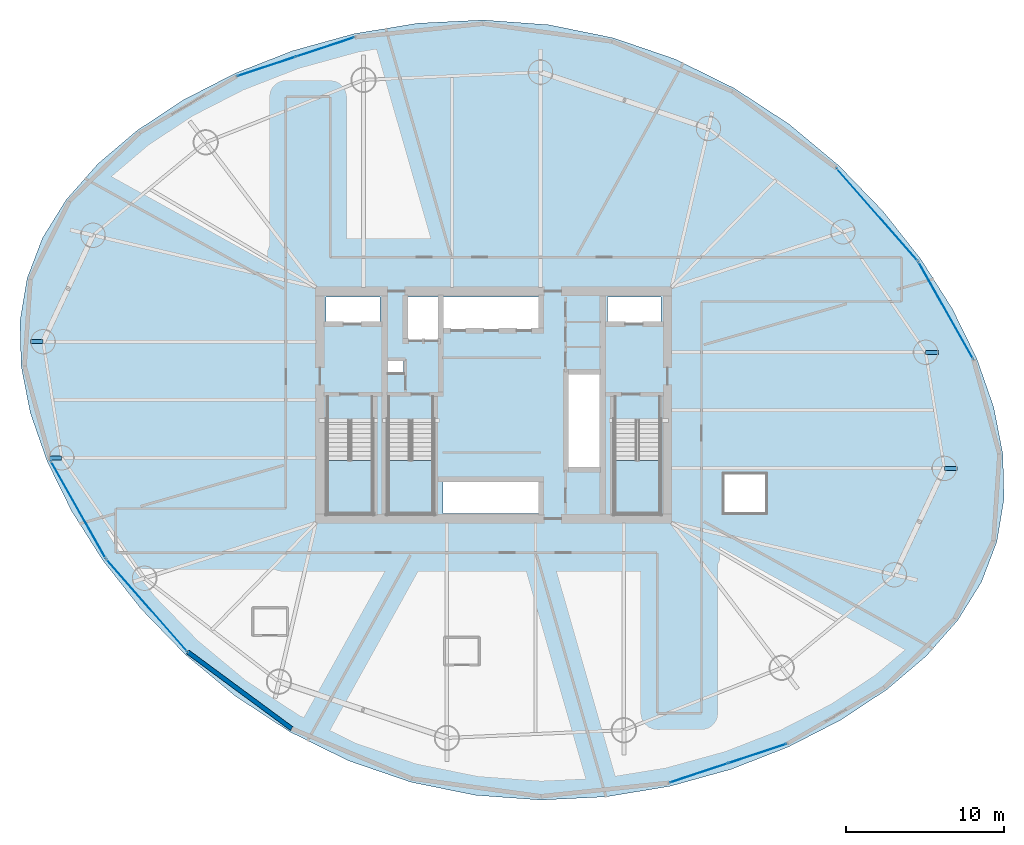
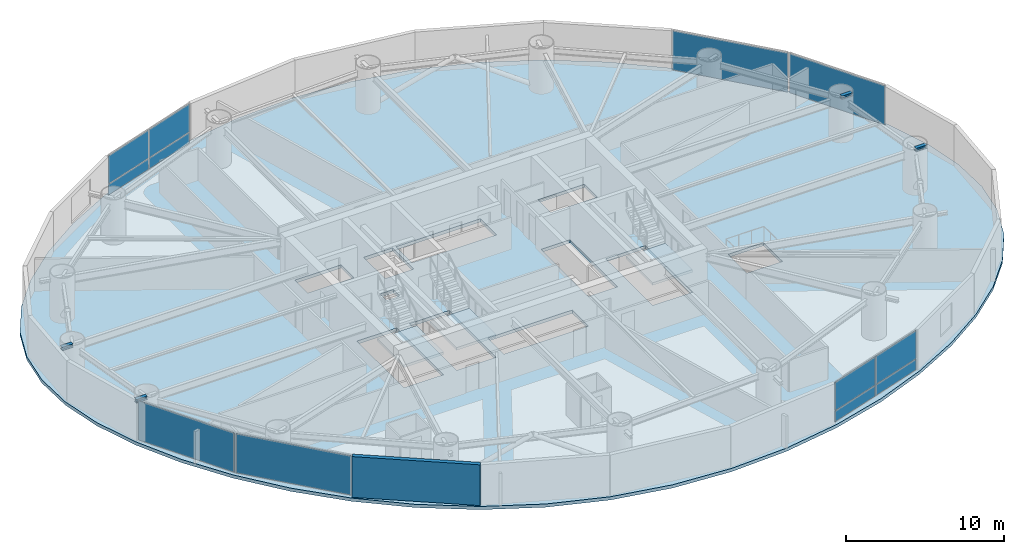
# One storey, part 17 of 25: 12 plates, 4 beams, 4 slabs, 1 wall, 9 elements without a shape of their own.
"""IFC4 building model written with IfcOpenShell, lengths in metres."""

from ifc_helpers import new_model, si_unit, direction, frame, frame_2d, origin, origin_2d, place, context, subcontext, project, spatial, polyline, rectangle, i_section, outline, extrude, material, layer, layer_set, material_profile, profile_set, type_object, element, aggregate, save


model = new_model("IFC4")

# Units and contexts
model_context = context("Model", 3, precision=1e-05, world=origin(), true_north=direction((0.0, 1.0)))
body_context = subcontext(model_context, "Body", "Model", "MODEL_VIEW")
ifc_project = project(units=[si_unit("LENGTHUNIT", "METRE"), si_unit("AREAUNIT", "SQUARE_METRE"), si_unit("VOLUMEUNIT", "CUBIC_METRE"), si_unit("PLANEANGLEUNIT", "RADIAN"), si_unit("MASSUNIT", "GRAM", prefix="KILO")], contexts=[model_context])

# Site, building, storey
site_placement = place(None, origin())
site = spatial("IfcSite", under=ifc_project, at=site_placement, CompositionType="ELEMENT")
building_placement = place(site_placement, origin())
building = spatial("IfcBuilding", under=site, at=building_placement, Name="Bramvorn Convention Spire", CompositionType="ELEMENT")
storey_placement = place(building_placement, frame((0.0, 0.0, 93.89990234375)))
storey = spatial("IfcBuildingStorey", under=building, at=storey_placement, Name="L22", CompositionType="ELEMENT", Elevation=93.89990234375)

# Beams
ifc_material_1 = material(Name="Steel CSA G40.21 Grade 350 (350W)", Category="steel")
ifc_material_profile = material_profile(ifc_material_1, i_section(OverallWidth=0.25390625, OverallDepth=0.2529296875, WebThickness=0.008544921875, FlangeThickness=0.01416015625, FilletRadius=0.011962890625, at=origin_2d()))
ifc_profile_set = profile_set([ifc_material_profile], Name="Steel CSA G40.21 Grade 350 (350W) - W250X73")
beam_type = type_object("IfcBeamType", Name="BM-W250X73", PredefinedType="BEAM", material=ifc_profile_set)
beam_1_placement = place(storey_placement, frame((66.519775390625, 21.99169921875, 3.023681640625), z_axis=(1.0, 0.0, 0.0), x_axis=(0.0, 1.0, 0.0)))
element("IfcBeam", 1, at=beam_1_placement, inside=storey, type_object=beam_type, Name="L22 slab-edge cantilever tip beam MC01", PredefinedType="BEAM", context=body_context, shape_type="SweptSolid", body=[
    extrude(i_section(OverallWidth=0.25390625, OverallDepth=0.2529296875, WebThickness=0.008544921875, FlangeThickness=0.01416015625, FilletRadius=0.011962890625, at=origin_2d()), origin(), (0.0, 0.0, 1.0), 0.7998046875),
])
beam_2_placement = place(storey_placement, frame((65.338623046875, 29.340087890625, 3.023681640625), z_axis=(1.0, 0.0, 0.0), x_axis=(0.0, 1.0, 0.0)))
element("IfcBeam", 2, at=beam_2_placement, inside=storey, type_object=beam_type, Name="L22 slab-edge cantilever tip beam MC02", PredefinedType="BEAM", context=body_context, shape_type="SweptSolid", body=[
    extrude(i_section(OverallWidth=0.25390625, OverallDepth=0.2529296875, WebThickness=0.008544921875, FlangeThickness=0.01416015625, FilletRadius=0.011962890625, at=origin_2d()), origin(), (0.0, 0.0, 1.0), 0.800048828125),
])
beam_3_placement = place(storey_placement, frame((9.480224609375, 30.00830078125, 3.023681640625), z_axis=(-1.0, 0.0, 0.0), x_axis=(0.0, -1.0, 0.0)))
element("IfcBeam", 3, at=beam_3_placement, inside=storey, type_object=beam_type, Name="L22 slab-edge cantilever tip beam MC09", PredefinedType="BEAM", context=body_context, shape_type="SweptSolid", body=[
    extrude(i_section(OverallWidth=0.25390625, OverallDepth=0.2529296875, WebThickness=0.008544921875, FlangeThickness=0.01416015625, FilletRadius=0.011962890625, at=origin_2d()), origin(), (0.0, 0.0, 1.0), 0.7998046875),
])
beam_4_placement = place(storey_placement, frame((10.661376953125, 22.659912109375, 3.023681640625), z_axis=(-1.0, 0.0, 0.0), x_axis=(0.0, -1.0, 0.0)))
element("IfcBeam", 4, at=beam_4_placement, inside=storey, type_object=beam_type, Name="L22 slab-edge cantilever tip beam MC10", PredefinedType="BEAM", context=body_context, shape_type="SweptSolid", body=[
    extrude(i_section(OverallWidth=0.25390625, OverallDepth=0.2529296875, WebThickness=0.008544921875, FlangeThickness=0.01416015625, FilletRadius=0.011962890625, at=origin_2d()), origin(), (0.0, 0.0, 1.0), 0.800048828125),
])

# Curtain wall, plate
ifc_material_2 = material(Name="Anodised Bronze Unitised Curtain Wall", Category="aluminium")
ifc_layer_1 = layer(ifc_material_2, 0.179931640625)
ifc_layer_set_1 = layer_set([ifc_layer_1], Name="Anodised Bronze Unitised Curtain Wall - CW-HTL-FRIT")
curtain_wall_type = type_object("IfcCurtainWallType", Name="CW-HTL-FRIT", PredefinedType="USERDEFINED", material=ifc_layer_set_1)
curtain_wall_1_placement = place(storey_placement, origin())
curtain_wall_1 = element("IfcCurtainWall", 5, at=curtain_wall_1_placement, inside=storey, type_object=curtain_wall_type, Name="L22 fritted glass curtain wall 03", ObjectType="UNITISED CURTAIN WALL", PredefinedType="USERDEFINED")
ifc_material_3 = material(Name="Laminated Low-E Glass (Triple IGU Bronze Ceramic Frit 35%)", Category="glass")
ifc_layer_2 = layer(ifc_material_3, 0.035888671875)
ifc_layer_set_2 = layer_set([ifc_layer_2], Name="Laminated Low-E Glass (Triple IGU Bronze Ceramic Frit 35%) - PNL-IGU-1")
plate_type = type_object("IfcPlateType", Name="PNL-IGU-1", PredefinedType="CURTAIN_PANEL", material=ifc_layer_set_2)
plate_1_placement = place(storey_placement, frame((66.611572265625, 31.99169921875, 0.06005859375), z_axis=(0.0, 0.0, 1.0), x_axis=(0.491468504143, -0.870895349302, 0.0)))
plate_1 = element("IfcPlate", 6, at=plate_1_placement, type_object=plate_type, Name="CW2 panel 1.1", PredefinedType="CURTAIN_PANEL", context=body_context, shape_type="SweptSolid", body=[
    extrude(rectangle(XDim=7.02294921875, YDim=0.028076171875, at=origin_2d()), origin(), (0.0, 0.0, 1.0), 3.030029296875),
])
aggregate(curtain_wall_1, [plate_1])

curtain_wall_2_placement = place(storey_placement, origin())
curtain_wall_2 = element("IfcCurtainWall", 7, at=curtain_wall_2_placement, inside=storey, type_object=curtain_wall_type, Name="L22 fritted glass curtain wall 04", ObjectType="UNITISED CURTAIN WALL", PredefinedType="USERDEFINED")
plate_2_placement = place(storey_placement, frame((62.2685546875, 38.049560546875, 0.06005859375), z_axis=(0.0, 0.0, 1.0), x_axis=(0.659767114475, -0.751470128919, 0.0)))
plate_2 = element("IfcPlate", 8, at=plate_2_placement, type_object=plate_type, Name="CW2 panel 1.1", PredefinedType="CURTAIN_PANEL", context=body_context, shape_type="SweptSolid", body=[
    extrude(rectangle(XDim=7.724853515625, YDim=0.028076171875, at=origin_2d()), origin(), (0.0, 0.0, 1.0), 3.030029296875),
])
aggregate(curtain_wall_2, [plate_2])

# Curtain wall, plates
curtain_wall_3_placement = place(storey_placement, origin())
curtain_wall_3 = element("IfcCurtainWall", 9, at=curtain_wall_3_placement, inside=storey, type_object=curtain_wall_type, Name="L22 fritted glass curtain wall 09", ObjectType="UNITISED CURTAIN WALL", PredefinedType="USERDEFINED")
plate_3_placement = place(storey_placement, frame((23.634033203125, 47.4326171875, 0.06005859375), z_axis=(0.0, 0.0, 1.0), x_axis=(0.949330130339, 0.314280612877, 0.0)))
plate_3 = element("IfcPlate", 10, at=plate_3_placement, type_object=plate_type, Name="CW2 panel 1.1", PredefinedType="CURTAIN_PANEL", context=body_context, shape_type="SweptSolid", body=[
    extrude(rectangle(XDim=3.83251953125, YDim=0.028076171875, at=origin_2d()), origin(), (0.0, 0.0, 1.0), 0.81005859375),
])
plate_4_placement = place(storey_placement, frame((23.634033203125, 47.4326171875, 0.93017578125), z_axis=(0.0, 0.0, 1.0), x_axis=(0.949330130339, 0.314280612877, 0.0)))
plate_4 = element("IfcPlate", 11, at=plate_4_placement, type_object=plate_type, Name="CW2 panel 1.2", PredefinedType="CURTAIN_PANEL", context=body_context, shape_type="SweptSolid", body=[
    extrude(rectangle(XDim=3.83251953125, YDim=0.028076171875, at=origin_2d()), origin(), (0.0, 0.0, 1.0), 2.159912109375),
])
plate_5_placement = place(storey_placement, frame((27.3291015625, 48.656005859375, 0.06005859375), z_axis=(0.0, 0.0, 1.0), x_axis=(0.949330130339, 0.314280612877, 0.0)))
plate_5 = element("IfcPlate", 12, at=plate_5_placement, type_object=plate_type, Name="CW2 panel 2.1", PredefinedType="CURTAIN_PANEL", context=body_context, shape_type="SweptSolid", body=[
    extrude(rectangle(XDim=3.83251953125, YDim=0.028076171875, at=origin_2d()), origin(), (0.0, 0.0, 1.0), 0.81005859375),
])
plate_6_placement = place(storey_placement, frame((27.3291015625, 48.656005859375, 0.93017578125), z_axis=(0.0, 0.0, 1.0), x_axis=(0.949330130339, 0.314280612877, 0.0)))
plate_6 = element("IfcPlate", 13, at=plate_6_placement, type_object=plate_type, Name="CW2 panel 2.2", PredefinedType="CURTAIN_PANEL", context=body_context, shape_type="SweptSolid", body=[
    extrude(rectangle(XDim=3.83251953125, YDim=0.028076171875, at=origin_2d()), origin(), (0.0, 0.0, 1.0), 2.159912109375),
])
aggregate(curtain_wall_3, [plate_3, plate_4, plate_5, plate_6])

# Curtain wall, plate
curtain_wall_4_placement = place(storey_placement, origin())
curtain_wall_4 = element("IfcCurtainWall", 14, at=curtain_wall_4_placement, inside=storey, type_object=curtain_wall_type, Name="L22 fritted glass curtain wall 15", ObjectType="UNITISED CURTAIN WALL", PredefinedType="USERDEFINED")
plate_7_placement = place(storey_placement, frame((11.704345703125, 19.379150390625, 0.06005859375), z_axis=(0.0, 0.0, 1.0), x_axis=(-0.491457885651, 0.870901341503, 0.0)))
plate_7 = element("IfcPlate", 15, at=plate_7_placement, type_object=plate_type, Name="CW2 panel 1.1", PredefinedType="CURTAIN_PANEL", context=body_context, shape_type="SweptSolid", body=[
    extrude(rectangle(XDim=7.02294921875, YDim=0.028076171875, at=origin_2d()), origin(), (0.0, 0.0, 1.0), 3.030029296875),
])
aggregate(curtain_wall_4, [plate_7])

curtain_wall_5_placement = place(storey_placement, origin())
curtain_wall_5 = element("IfcCurtainWall", 16, at=curtain_wall_5_placement, inside=storey, type_object=curtain_wall_type, Name="L22 fritted glass curtain wall 16", ObjectType="UNITISED CURTAIN WALL", PredefinedType="USERDEFINED")
plate_8_placement = place(storey_placement, frame((16.047607421875, 13.321044921875, 0.06005859375), z_axis=(0.0, 0.0, 1.0), x_axis=(-0.659780632777, 0.75145826006, 0.0)))
plate_8 = element("IfcPlate", 17, at=plate_8_placement, type_object=plate_type, Name="CW2 panel 1.1", PredefinedType="CURTAIN_PANEL", context=body_context, shape_type="SweptSolid", body=[
    extrude(rectangle(XDim=7.724853515625, YDim=0.028076171875, at=origin_2d()), origin(), (0.0, 0.0, 1.0), 3.030029296875),
])
aggregate(curtain_wall_5, [plate_8])

# Curtain wall, plates
curtain_wall_6_placement = place(storey_placement, origin())
curtain_wall_6 = element("IfcCurtainWall", 18, at=curtain_wall_6_placement, inside=storey, type_object=curtain_wall_type, Name="L22 fritted glass curtain wall 21", ObjectType="UNITISED CURTAIN WALL", PredefinedType="USERDEFINED")
plate_9_placement = place(storey_placement, frame((54.68212890625, 3.93798828125, 0.06005859375), z_axis=(0.0, 0.0, 1.0), x_axis=(-0.949333933471, -0.314269124732, 0.0)))
plate_9 = element("IfcPlate", 19, at=plate_9_placement, type_object=plate_type, Name="CW2 panel 1.1", PredefinedType="CURTAIN_PANEL", context=body_context, shape_type="SweptSolid", body=[
    extrude(rectangle(XDim=3.83251953125, YDim=0.028076171875, at=origin_2d()), origin(), (0.0, 0.0, 1.0), 0.81005859375),
])
plate_10_placement = place(storey_placement, frame((54.68212890625, 3.93798828125, 0.93017578125), z_axis=(0.0, 0.0, 1.0), x_axis=(-0.949333933471, -0.314269124732, 0.0)))
plate_10 = element("IfcPlate", 20, at=plate_10_placement, type_object=plate_type, Name="CW2 panel 1.2", PredefinedType="CURTAIN_PANEL", context=body_context, shape_type="SweptSolid", body=[
    extrude(rectangle(XDim=3.83251953125, YDim=0.028076171875, at=origin_2d()), origin(), (0.0, 0.0, 1.0), 2.159912109375),
])
plate_11_placement = place(storey_placement, frame((50.98681640625, 2.71484375, 0.06005859375), z_axis=(0.0, 0.0, 1.0), x_axis=(-0.949333933471, -0.314269124732, 0.0)))
plate_11 = element("IfcPlate", 21, at=plate_11_placement, type_object=plate_type, Name="CW2 panel 2.1", PredefinedType="CURTAIN_PANEL", context=body_context, shape_type="SweptSolid", body=[
    extrude(rectangle(XDim=3.83251953125, YDim=0.028076171875, at=origin_2d()), origin(), (0.0, 0.0, 1.0), 0.81005859375),
])
plate_12_placement = place(storey_placement, frame((50.98681640625, 2.71484375, 0.93017578125), z_axis=(0.0, 0.0, 1.0), x_axis=(-0.949333933471, -0.314269124732, 0.0)))
plate_12 = element("IfcPlate", 22, at=plate_12_placement, type_object=plate_type, Name="CW2 panel 2.2", PredefinedType="CURTAIN_PANEL", context=body_context, shape_type="SweptSolid", body=[
    extrude(rectangle(XDim=3.83251953125, YDim=0.028076171875, at=origin_2d()), origin(), (0.0, 0.0, 1.0), 2.159912109375),
])
aggregate(curtain_wall_6, [plate_9, plate_10, plate_11, plate_12])

# Stair, slab
ifc_material_4 = material(Name="Concrete C40/50 Precast Stair", Category="concrete")
stair_type = type_object("IfcStairType", Name="ST-TOWER-1550", PredefinedType="HALF_TURN_STAIR", material=ifc_material_4)
stair_1_placement = place(storey_placement, origin())
stair_1 = element("IfcStair", 23, at=stair_1_placement, inside=storey, type_object=stair_type, Name="L22 Protected Exit Stair ST1", PredefinedType="HALF_TURN_STAIR")
ifc_material_5 = material(Name="Concrete C40/50 Stair Landing", Category="concrete")
ifc_layer_3 = layer(ifc_material_5, 0.219970703125)
ifc_layer_set_3 = layer_set([ifc_layer_3], Name="Concrete C40/50 Stair Landing - SLB-STAIR-LANDING")
slab_type_1 = type_object("IfcSlabType", Name="SLB-STAIR-LANDING", PredefinedType="LANDING", material=ifc_layer_set_3)
slab_1_placement = place(storey_placement, frame((0.0, 0.0, 1.550048828125)))
slab_1 = element("IfcSlab", 24, at=slab_1_placement, type_object=slab_type_1, Name="ST1 landing 1", PredefinedType="LANDING", context=body_context, shape_type="SweptSolid", body=[
    extrude(outline(polyline([(27.449951171875, 22.485107421875), (27.449951171875, 19.10009765625), (30.35009765625, 19.10009765625), (30.35009765625, 22.485107421875), (27.449951171875, 22.485107421875)])), origin(), (0.0, 0.0, 1.0), 0.199951171875),
])
aggregate(stair_1, [slab_1])

stair_2_placement = place(storey_placement, origin())
stair_2 = element("IfcStair", 25, at=stair_2_placement, inside=storey, type_object=stair_type, Name="L22 Protected Exit Stair ST2", PredefinedType="HALF_TURN_STAIR")
slab_2_placement = place(storey_placement, frame((0.0, 0.0, 1.550048828125)))
slab_2 = element("IfcSlab", 26, at=slab_2_placement, type_object=slab_type_1, Name="ST2 landing 1", PredefinedType="LANDING", context=body_context, shape_type="SweptSolid", body=[
    extrude(outline(polyline([(45.64990234375, 22.485107421875), (45.64990234375, 19.10009765625), (48.550048828125, 19.10009765625), (48.550048828125, 22.485107421875), (45.64990234375, 22.485107421875)])), origin(), (0.0, 0.0, 1.0), 0.199951171875),
])
aggregate(stair_2, [slab_2])

stair_3_placement = place(storey_placement, origin())
stair_3 = element("IfcStair", 27, at=stair_3_placement, inside=storey, type_object=stair_type, Name="L22 Protected Exit Stair ST3", PredefinedType="HALF_TURN_STAIR")
slab_3_placement = place(storey_placement, frame((0.0, 0.0, 1.550048828125)))
slab_3 = element("IfcSlab", 28, at=slab_3_placement, type_object=slab_type_1, Name="ST3 landing 1", PredefinedType="LANDING", context=body_context, shape_type="SweptSolid", body=[
    extrude(outline(polyline([(31.300048828125, 22.485107421875), (31.300048828125, 19.10009765625), (34.199951171875, 19.10009765625), (34.199951171875, 22.485107421875), (31.300048828125, 22.485107421875)])), origin(), (0.0, 0.0, 1.0), 0.199951171875),
])
aggregate(stair_3, [slab_3])

# Slab
ifc_material_6 = material(Name="Concrete C50/60", Category="concrete")
ifc_layer_4 = layer(ifc_material_6, 0.25)
ifc_layer_set_4 = layer_set([ifc_layer_4], Name="Concrete C50/60 - SLB-Z1-250")
slab_type_2 = type_object("IfcSlabType", Name="SLB-Z1-250", PredefinedType="FLOOR", material=ifc_layer_set_4)
slab_4_placement = place(storey_placement, frame((0.0, 0.0, -0.25)))
element("IfcSlab", 29, at=slab_4_placement, inside=storey, type_object=slab_type_2, Name="L22 tower floor slab", PredefinedType="FLOOR", context=body_context, shape_type="SweptSolid", body=[
    extrude(outline(polyline([(69.845458984375, 17.347900390625), (70.296630859375, 20.0458984375), (70.227294921875, 22.885498046875), (69.64892578125, 25.8564453125), (68.578369140625, 28.933349609375), (67.03662109375, 32.072509765625), (65.04736328125, 35.211181640625), (62.6376953125, 38.2705078125), (59.838623046875, 41.159423828125), (56.685791015625, 43.78369140625), (53.220703125, 46.05322265625), (49.4921875, 47.890869140625), (45.5576171875, 49.239501953125), (41.481201171875, 50.0673828125), (37.335693359375, 50.369140625), (33.198486328125, 50.1650390625), (29.151123046875, 49.497314453125), (25.27490234375, 48.421875), (21.648681640625, 47.00244140625), (18.344482421875, 45.302001953125), (15.426025390625, 43.37451171875), (12.94580078125, 41.26220703125), (10.943603515625, 38.992431640625), (9.44677734375, 36.578369140625), (8.470458984375, 34.02294921875), (8.019287109375, 31.324951171875), (8.0888671875, 28.4853515625), (8.6669921875, 25.514404296875), (9.737548828125, 22.4375), (11.279541015625, 19.298095703125), (13.268798828125, 16.159423828125), (15.67822265625, 13.10009765625), (18.477294921875, 10.211181640625), (21.63037109375, 7.5869140625), (25.095458984375, 5.317626953125), (28.82373046875, 3.47998046875), (32.758544921875, 2.13134765625), (36.834716796875, 1.303466796875), (40.98046875, 1.001708984375), (45.117431640625, 1.205810546875), (49.164794921875, 1.87353515625), (53.041015625, 2.948974609375), (56.66748046875, 4.3681640625), (59.9716796875, 6.06884765625), (62.889892578125, 7.996337890625), (65.370361328125, 10.1083984375), (67.37255859375, 12.378173828125), (68.869384765625, 14.79248046875), (69.845458984375, 17.347900390625)]), holes=[polyline([(27.449951171875, 25.050048828125), (27.449951171875, 19.10009765625), (30.35009765625, 19.10009765625), (30.35009765625, 25.050048828125), (27.449951171875, 25.050048828125)]), polyline([(45.64990234375, 25.050048828125), (45.64990234375, 19.10009765625), (48.550048828125, 19.10009765625), (48.550048828125, 25.050048828125), (45.64990234375, 25.050048828125)]), polyline([(31.300048828125, 25.050048828125), (31.300048828125, 19.10009765625), (34.199951171875, 19.10009765625), (34.199951171875, 25.050048828125), (31.300048828125, 25.050048828125)]), polyline([(27.39990234375, 31.219970703125), (30.800048828125, 31.219970703125), (30.800048828125, 32.85009765625), (27.39990234375, 32.85009765625), (27.39990234375, 31.219970703125)]), polyline([(45.199951171875, 31.219970703125), (48.60009765625, 31.219970703125), (48.60009765625, 32.85009765625), (45.199951171875, 32.85009765625), (45.199951171875, 31.219970703125)]), polyline([(32.449951171875, 30.14990234375), (34.56005859375, 30.14990234375), (34.56005859375, 32.85009765625), (32.449951171875, 32.85009765625), (32.449951171875, 30.14990234375)]), polyline([(34.800048828125, 30.800048828125), (40.97998046875, 30.800048828125), (40.97998046875, 32.85009765625), (34.800048828125, 32.85009765625), (34.800048828125, 30.800048828125)]), polyline([(34.800048828125, 19.14990234375), (40.97998046875, 19.14990234375), (40.97998046875, 21.199951171875), (34.800048828125, 21.199951171875), (34.800048828125, 19.14990234375)]), polyline([(42.6201171875, 22.0), (44.75, 22.0), (44.75, 28.0), (42.6201171875, 28.0), (42.6201171875, 22.0)]), polyline([(31.320068359375, 28.02001953125), (32.280029296875, 28.02001953125), (32.280029296875, 28.820068359375), (31.320068359375, 28.820068359375), (31.320068359375, 28.02001953125)]), polyline([(52.60009765625, 19.199951171875), (55.199951171875, 19.199951171875), (55.199951171875, 21.60009765625), (52.60009765625, 21.60009765625), (52.60009765625, 19.199951171875)])]), origin(), (0.0, 0.0, 1.0), 0.25),
])

# Wall
ifc_material_7 = material(Name="Precast Concrete C40/50 with Bronze Terracotta Rainscreen", Category="masonry")
ifc_layer_5 = layer(ifc_material_7, 0.300048828125)
ifc_layer_set_5 = layer_set([ifc_layer_5], Name="Precast Concrete C40/50 with Bronze Terracotta Rainscreen - WL-EXT-BRONZE-300")
wall_type = type_object("IfcWallType", Name="WL-EXT-BRONZE-300", PredefinedType="SOLIDWALL", material=ifc_layer_set_5)
wall_placement = place(storey_placement, frame((25.2099609375, 5.52197265625, 0.0), z_axis=(0.0, 0.0, 1.0), x_axis=(-0.804633561054, 0.593771700593, 0.0)))
element("IfcWall", 30, at=wall_placement, inside=storey, type_object=wall_type, Name="L22 expressed bronze Gothic lancet pier wall 17", PredefinedType="SOLIDWALL", context=body_context, shape_type="SweptSolid", body=[
    extrude(rectangle(XDim=8.170654296875, YDim=0.280029296875, at=frame_2d((4.08544921875, 0.0))), origin(), (0.0, 0.0, 1.0), 3.150146484375),
])

save(model, "model.ifc")
